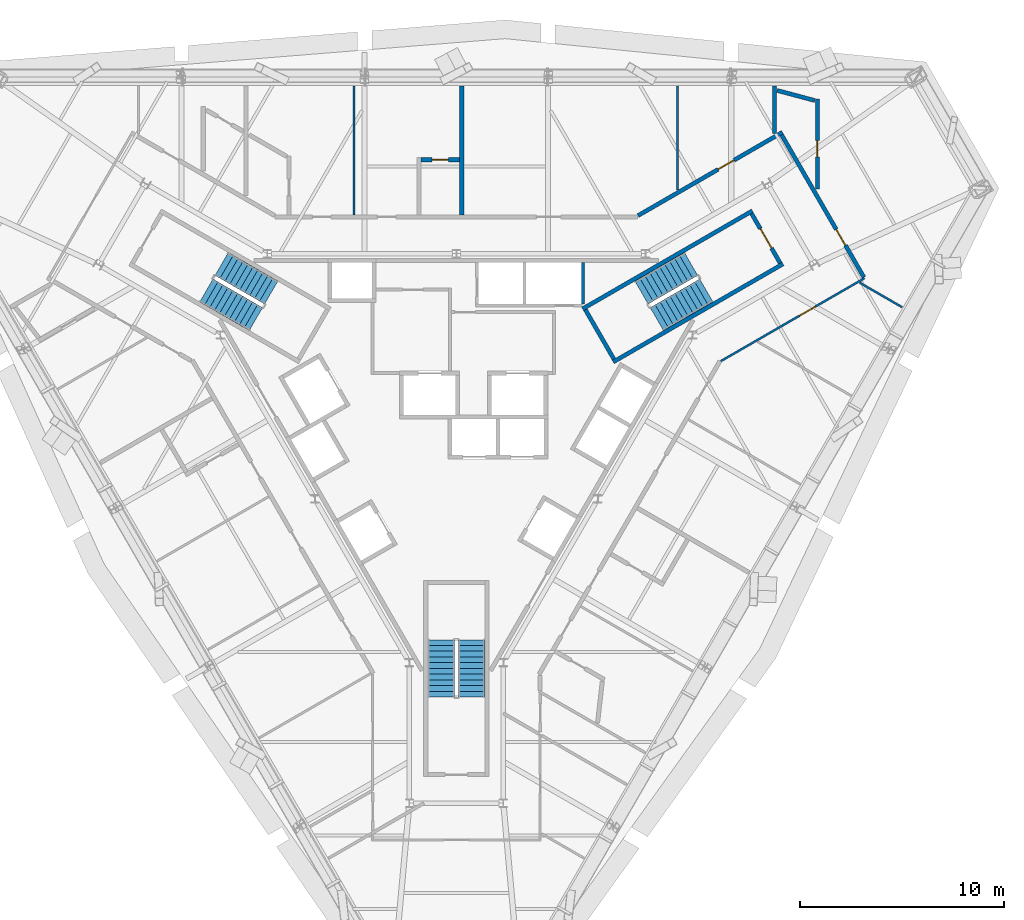
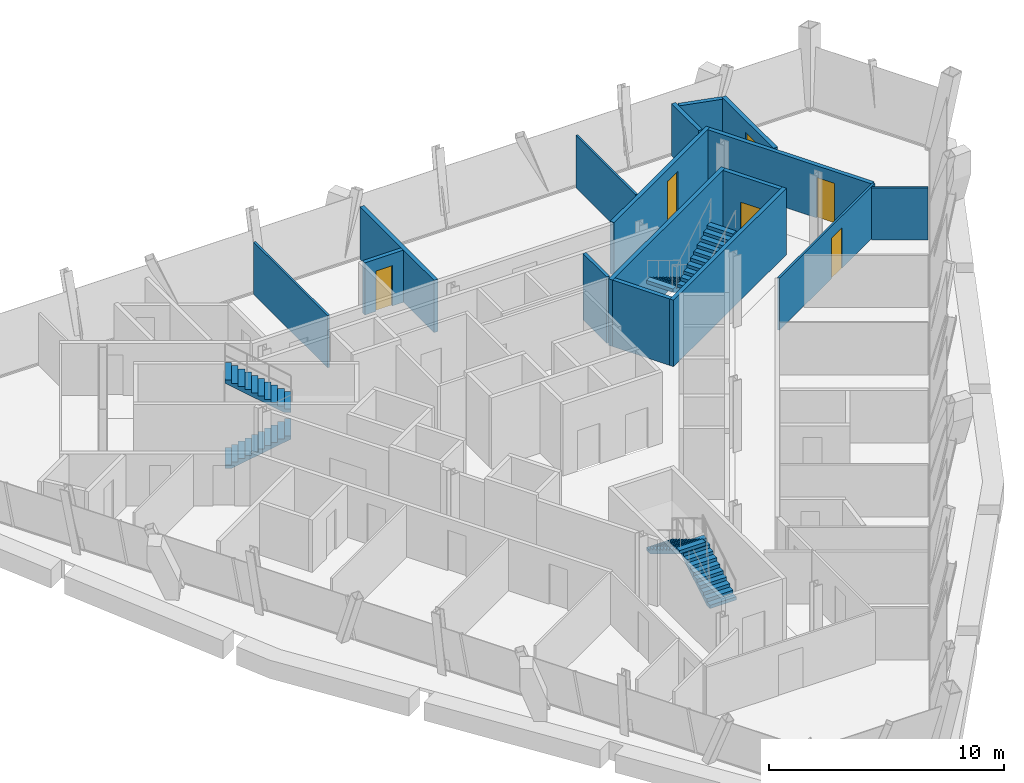
# One storey, part 11 of 13: 16 walls, 6 doors, 6 stair flights, 6 openings, 3 elements without a shape of their own.
"""IFC4 building model written with IfcOpenShell, lengths in metres."""

import ifcopenshell
import ifcopenshell.guid

model = None  # the IFC model being written
_history = None  # IfcOwnerHistory: only IFC2X3 demands one
_inside = {}  # id of a spatial element -> (the spatial element, [elements in it])
_under = {}  # id of a project, library or spatial element -> (it, [spatial elements below it])
_declared = {}  # id of a project -> (the project, [libraries it declares])
_typed = {}  # id of a type object -> (the type object, [elements of that type])
_made_of = {}  # id of a material, layer set ... -> (it, [elements and type objects made of it])


def new_model(schema):
    """Start an empty IFC model of exactly this schema.

    Asked for "IFC4X3", IfcOpenShell would pick the latest addendum, in which some entities
    have other attributes; the version numbers below select the first issue.
    IFC2X3 requires an IfcOwnerHistory on every rooted entity: one is made here for all.
    """
    global model, _history
    if schema == "IFC4X3":
        model = ifcopenshell.file(schema_version=(4, 3, 0, 0))
    else:
        model = ifcopenshell.file(schema=schema)
    _inside.clear()
    _under.clear()
    _declared.clear()
    _typed.clear()
    _made_of.clear()
    _history = None
    if model.schema == "IFC2X3":
        org = make("IfcOrganization", Name="unknown")
        user = make(
            "IfcPersonAndOrganization",
            ThePerson=make("IfcPerson", FamilyName="unknown"),
            TheOrganization=org,
        )
        app = make(
            "IfcApplication",
            ApplicationDeveloper=org,
            Version="unknown",
            ApplicationFullName="unknown",
            ApplicationIdentifier="unknown",
        )
        _history = make(
            "IfcOwnerHistory",
            OwningUser=user,
            OwningApplication=app,
            ChangeAction="ADDED",
            CreationDate=0,
        )
    return model


def make(cls, **values):
    """One entity of the class cls with the attributes given. An attribute that is None is left unset."""
    return model.create_entity(
        cls, **{name: value for name, value in values.items() if value is not None}
    )


def rooted(cls, **values):
    """An entity with a GlobalId (a new one), such as an element, a storey or a relation."""
    return make(cls, GlobalId=ifcopenshell.guid.new(), OwnerHistory=_history, **values)


def si_unit(unit_type, name, prefix=None):
    """IfcSIUnit, for example si_unit("LENGTHUNIT", "METRE", prefix="MILLI")."""
    return make("IfcSIUnit", UnitType=unit_type, Prefix=prefix, Name=name)


def assignment(units):
    """IfcUnitAssignment: the units of a project."""
    return None if units is None else make("IfcUnitAssignment", Units=units)


def point(xyz):
    """IfcCartesianPoint."""
    return None if xyz is None else make("IfcCartesianPoint", Coordinates=xyz)


def direction(xyz):
    """IfcDirection."""
    return None if xyz is None else make("IfcDirection", DirectionRatios=xyz)


def frame(location, z_axis=None, x_axis=None):
    """IfcAxis2Placement3D, a coordinate frame: its origin and axes. An axis left out is left unset."""
    return make(
        "IfcAxis2Placement3D",
        Location=point(location),
        Axis=direction(z_axis),
        RefDirection=direction(x_axis),
    )


def frame_2d(location, x_axis=None):
    """IfcAxis2Placement2D, a coordinate frame in the plane: its origin and x axis."""
    return make(
        "IfcAxis2Placement2D", Location=point(location), RefDirection=direction(x_axis)
    )


def origin():
    """The frame at (0, 0, 0) with its axes left unset."""
    return frame((0.0, 0.0, 0.0))


def place(relative_to, where):
    """IfcLocalPlacement: puts the frame where relative to a parent placement (None: the world)."""
    return make(
        "IfcLocalPlacement", PlacementRelTo=relative_to, RelativePlacement=where
    )


def context(
    kind, dimensions, precision=None, world=None, true_north=None, identifier=None
):
    """IfcGeometricRepresentationContext, for example the 3D "Model" context."""
    return make(
        "IfcGeometricRepresentationContext",
        ContextIdentifier=identifier,
        ContextType=kind,
        CoordinateSpaceDimension=dimensions,
        Precision=precision,
        WorldCoordinateSystem=world,
        TrueNorth=true_north,
    )


def subcontext(parent, identifier, kind, view, scale=None):
    """IfcGeometricRepresentationSubContext, for example "Body" below "Model"."""
    return make(
        "IfcGeometricRepresentationSubContext",
        ContextIdentifier=identifier,
        ContextType=kind,
        ParentContext=parent,
        TargetScale=scale,
        TargetView=view,
    )


def project(units=None, contexts=None):
    """IfcProject with its units and contexts."""
    return rooted(
        "IfcProject",
        Name="project",
        RepresentationContexts=contexts,
        UnitsInContext=assignment(units),
    )


def spatial(cls, under=None, at=None, **own):
    """A site, building, storey or space (cls), placed at a placement, below another one or the project."""
    s = rooted(cls, ObjectPlacement=at, **own)
    if under is not None:
        _under.setdefault(under.id(), (under, []))[1].append(s)
    return s


def polyline(points):
    """IfcPolyline through the points."""
    return make("IfcPolyline", Points=[point(p) for p in points])


def profile(cls, at=None, kind="AREA", **sizes):
    """A parametric profile (cls). Its sizes go by their IFC names, for example OverallWidth=200.0."""
    return make(cls, ProfileType=kind, Position=at, **sizes)


def rectangle(**sizes):
    """IfcRectangleProfileDef."""
    return profile("IfcRectangleProfileDef", **sizes)


def outline(outer, holes=None, kind="AREA"):
    """IfcArbitraryClosedProfileDef: a profile drawn as a closed curve; with holes, ...WithVoids."""
    if holes is None:
        return make("IfcArbitraryClosedProfileDef", ProfileType=kind, OuterCurve=outer)
    return make(
        "IfcArbitraryProfileDefWithVoids",
        ProfileType=kind,
        OuterCurve=outer,
        InnerCurves=holes,
    )


def extrude(swept, where, along, depth):
    """IfcExtrudedAreaSolid: the profile swept, set in the frame where, extruded along a direction by depth."""
    return make(
        "IfcExtrudedAreaSolid",
        SweptArea=swept,
        Position=where,
        ExtrudedDirection=direction(along),
        Depth=depth,
    )


def shape(context_of_items, identifier, shape_type, items):
    """IfcShapeRepresentation: the items that make up one representation, for example the "Body"."""
    return make(
        "IfcShapeRepresentation",
        ContextOfItems=context_of_items,
        RepresentationIdentifier=identifier,
        RepresentationType=shape_type,
        Items=items,
    )


def material(Name=None, Category=None):
    """IfcMaterial."""
    return make("IfcMaterial", Name=Name, Category=Category)


def layer(
    of_material, thickness, ventilated=None, Name=None, Category=None, Priority=None
):
    """IfcMaterialLayer: one layer of a wall or slab, of a material (None: an air gap)."""
    return make(
        "IfcMaterialLayer",
        Material=of_material,
        LayerThickness=thickness,
        IsVentilated=ventilated,
        Name=Name,
        Category=Category,
        Priority=Priority,
    )


def layer_set(layers, Name=None):
    """IfcMaterialLayerSet."""
    return make("IfcMaterialLayerSet", MaterialLayers=layers, LayerSetName=Name)


def made_of(thing, what):
    """Note that an element or type object is made of a material, layer set ...; save() writes the relation."""
    if what is not None:
        _made_of.setdefault(what.id(), (what, []))[1].append(thing)
    return thing


def type_object(cls, material=None, **own):
    """A type object (cls), such as IfcWallType, which elements share."""
    return made_of(rooted(cls, **own), material)


def element(
    cls,
    number,
    at=None,
    inside=None,
    cuts=None,
    type_object=None,
    material=None,
    context=None,
    identifier="Body",
    shape_type=None,
    held_by="IfcProductDefinitionShape",
    body=None,
    shapes=None,
    **own,
):
    """One element of the class cls, such as IfcWall. Its Tag is "e" and its number.

    at: its placement. inside: the storey or other place that contains it. cuts: it is an
    opening in that element (IfcRelVoidsElement). A single representation is given by context,
    identifier, shape_type and body (its items); several are given by shapes. held_by: the class
    of the entity that holds the representations. save() writes the other relations.
    """
    e = rooted(cls, Tag="e%d" % number, ObjectPlacement=at, **own)
    if body is not None:
        shapes = [shape(context, identifier, shape_type, body)]
    if shapes is not None:
        e.Representation = make(held_by, Representations=shapes)
    if inside is not None:
        _inside.setdefault(inside.id(), (inside, []))[1].append(e)
    if cuts is not None:
        rooted(
            "IfcRelVoidsElement", RelatingBuildingElement=cuts, RelatedOpeningElement=e
        )
    if type_object is not None:
        _typed.setdefault(type_object.id(), (type_object, []))[1].append(e)
    return made_of(e, material)


def fill(opening, filler):
    """IfcRelFillsElement: the door or window that sits in an opening."""
    return rooted(
        "IfcRelFillsElement",
        RelatingOpeningElement=opening,
        RelatedBuildingElement=filler,
    )


def aggregate(whole, parts):
    """IfcRelAggregates: a whole, such as a stair, and the parts it consists of."""
    return rooted("IfcRelAggregates", RelatingObject=whole, RelatedObjects=parts)


def save(model, path):
    """Write the relations noted so far, then the file.

    IfcRelAggregates (storeys below a building ...), IfcRelContainedInSpatialStructure (elements
    in a storey), IfcRelDefinesByType, IfcRelAssociatesMaterial and IfcRelDeclares: one each for
    every whole, place, type object, material and project.
    """
    for whole, parts in _under.values():
        aggregate(whole, parts)
    for where, things in _inside.values():
        rooted(
            "IfcRelContainedInSpatialStructure",
            RelatedElements=things,
            RelatingStructure=where,
        )
    for kind, things in _typed.values():
        rooted("IfcRelDefinesByType", RelatedObjects=things, RelatingType=kind)
    for what, things in _made_of.values():
        rooted("IfcRelAssociatesMaterial", RelatedObjects=things, RelatingMaterial=what)
    for by, libraries in _declared.values():
        rooted("IfcRelDeclares", RelatingContext=by, RelatedDefinitions=libraries)
    model.write(path)


model = new_model("IFC4")

# Units and contexts
model_context = context("Model", 3, precision=1e-05, world=origin(), true_north=direction((0.0, 1.0)))
body_context = subcontext(model_context, "Body", "Model", "MODEL_VIEW")
ifc_project = project(units=[si_unit("LENGTHUNIT", "METRE"), si_unit("AREAUNIT", "SQUARE_METRE"), si_unit("VOLUMEUNIT", "CUBIC_METRE"), si_unit("PLANEANGLEUNIT", "RADIAN"), si_unit("MASSUNIT", "GRAM", prefix="KILO")], contexts=[model_context])

# Site, building, storey
site_placement = place(None, origin())
site = spatial("IfcSite", under=ifc_project, at=site_placement, CompositionType="ELEMENT")
building_placement = place(site_placement, origin())
building = spatial("IfcBuilding", under=site, at=building_placement, Name="Verrane Prism Tower", CompositionType="ELEMENT")
storey_placement = place(building_placement, frame((0.0, 0.0, 243.39990234375)))
storey = spatial("IfcBuildingStorey", under=building, at=storey_placement, Name="L61", CompositionType="ELEMENT", Elevation=243.39990234375)

# Wall, opening, door
ifc_material_1 = material(Name="Concrete C40/50", Category="concrete")
ifc_layer_1 = layer(ifc_material_1, 0.199951171875)
ifc_layer_set_1 = layer_set([ifc_layer_1], Name="CW-200 stair core wall concrete C40/50 3 h")
wall_type_1 = type_object("IfcWallType", Name="CW-200 stair core wall concrete C40/50 3 h", PredefinedType="PARTITIONING", material=ifc_layer_set_1)
wall_1_placement = place(storey_placement, frame((15.85546875, 7.53759765625, 0.0), z_axis=(0.0, 0.0, 1.0), x_axis=(-0.500049511043, 0.865996816683, 0.0)))
wall_1 = element("IfcWall", 1, at=wall_1_placement, inside=storey, type_object=wall_type_1, Name="Stair 1 enclosure wall", PredefinedType="PARTITIONING", context=body_context, shape_type="SweptSolid", body=[
    extrude(rectangle(XDim=2.800048828125, YDim=0.199951171875, at=frame_2d((1.39990234375, 0.0))), origin(), (0.0, 0.0, 1.0), 3.4501953125),
])
opening_1_placement = place(wall_1_placement, frame((0.849853515625, 0.0, 0.0)))
opening_1 = element("IfcOpeningElement", 2, at=opening_1_placement, cuts=wall_1, Name="Opening D59500", PredefinedType="OPENING", context=body_context, shape_type="SweptSolid", body=[
    extrude(rectangle(XDim=1.10009765625, YDim=2.10009765625, at=frame_2d((0.550048828125, 1.050048828125))), frame((0.0, 0.10986328125, 0.0), z_axis=(0.0, -1.0, 0.0), x_axis=(1.0, 0.0, 0.0)), (0.0, 0.0, 1.0), 0.219970703125),
])
ifc_material_2 = material(Name="Timber veneered door leaf", Category="wood")
door_type_1 = type_object("IfcDoorType", Name="DR-1100x2100 FD90 single leaf stair", OperationType="NOTDEFINED", PredefinedType="DOOR", material=ifc_material_2)
door_1_placement = place(opening_1_placement, origin())
door_1 = element("IfcDoor", 3, at=door_1_placement, inside=storey, type_object=door_type_1, Name="Stair 1 door", OperationType="SINGLE_SWING_LEFT", OverallHeight=2.10009765625, OverallWidth=1.10009765625, PredefinedType="DOOR", context=body_context, shape_type="SweptSolid", body=[
    extrude(rectangle(XDim=1.10009765625, YDim=2.10009765625, at=frame_2d((0.550048828125, 1.050048828125))), frame((0.0, 0.02490234375, 0.0), z_axis=(0.0, -1.0, 0.0), x_axis=(1.0, 0.0, 0.0)), (0.0, 0.0, 1.0), 0.050048828125),
])
fill(opening_1, door_1)

# Walls
for number, where, z_axis, x_axis, name in (
    (4, (6.17822265625, 5.299072265625, 0.0), (0.0, 0.0, 1.0), (0.866019993635, 0.500009370536, 0.0), "Stair 1 enclosure wall"),
    (5, (7.67822265625, 2.700927734375, 0.0), (0.0, 0.0, 1.0), (0.866019993635, 0.500009370536, 0.0), "Stair 1 enclosure wall"),
):
    element("IfcWall", number, at=place(storey_placement, frame(where, z_axis=z_axis, x_axis=x_axis)), inside=storey, type_object=wall_type_1, Name=name, PredefinedType="PARTITIONING", context=body_context, shape_type="SweptSolid", body=[
        extrude(rectangle(XDim=9.599853515625, YDim=0.199951171875, at=frame_2d((4.7998046875, 0.0))), origin(), (0.0, 0.0, 1.0), 3.4501953125),
    ])
wall_2_placement = place(storey_placement, frame((7.71484375, 2.837646484375, 0.0), z_axis=(0.0, 0.0, 1.0), x_axis=(-0.500049511043, 0.865996816683, 0.0)))
element("IfcWall", 6, at=wall_2_placement, inside=storey, type_object=wall_type_1, Name="Stair 1 enclosure wall", PredefinedType="PARTITIONING", context=body_context, shape_type="SweptSolid", body=[
    extrude(rectangle(XDim=2.800048828125, YDim=0.199951171875, at=frame_2d((1.39990234375, 0.0))), origin(), (0.0, 0.0, 1.0), 3.4501953125),
])
ifc_material_3 = material(Name="Gypsum board partition", Category="other")
ifc_layer_2 = layer(ifc_material_3, 0.10009765625)
ifc_layer_set_2 = layer_set([ifc_layer_2], Name="PW-100 room partition")
wall_type_2 = type_object("IfcWallType", Name="PW-100 room partition", PredefinedType="PARTITIONING", material=ifc_layer_set_2)
wall_3_placement = place(storey_placement, frame((-5.014892578125, 9.89990234375, 0.0), z_axis=(0.0, 0.0, 1.0), x_axis=(0.0, 1.0, 0.0)))
element("IfcWall", 7, at=wall_3_placement, inside=storey, type_object=wall_type_2, Name="Room partition 024", PredefinedType="PARTITIONING", context=body_context, shape_type="SweptSolid", body=[
    extrude(rectangle(XDim=6.30615234375, YDim=0.10009765625, at=frame_2d((3.153076171875, 0.0))), origin(), (0.0, 0.0, 1.0), 2.713134765625),
])
wall_4_placement = place(storey_placement, frame((10.822021484375, 11.124267578125, 0.0), z_axis=(0.0, 0.0, 1.0), x_axis=(0.0, 1.0, 0.0)))
element("IfcWall", 8, at=wall_4_placement, inside=storey, type_object=wall_type_2, Name="Room partition 048", PredefinedType="PARTITIONING", context=body_context, shape_type="SweptSolid", body=[
    extrude(rectangle(XDim=5.081787109375, YDim=0.10009765625, at=frame_2d((2.541015625, 0.0))), origin(), (0.0, 0.0, 1.0), 2.713134765625),
])

# Wall, opening, door
wall_5_placement = place(storey_placement, frame((19.97998046875, 6.801025390625, 0.0), z_axis=(0.0, 0.0, 1.0), x_axis=(-0.866087400697, -0.49989260282, 0.0)))
wall_5 = element("IfcWall", 9, at=wall_5_placement, inside=storey, type_object=wall_type_2, Name="Room partition 050", PredefinedType="PARTITIONING", context=body_context, shape_type="SweptSolid", body=[
    extrude(rectangle(XDim=8.114990234375, YDim=0.10009765625, at=frame_2d((4.0576171875, 0.0))), origin(), (0.0, 0.0, 1.0), 2.713134765625),
])
opening_2_placement = place(wall_5_placement, frame((2.777099609375, 0.0, 0.0)))
opening_2 = element("IfcOpeningElement", 10, at=opening_2_placement, cuts=wall_5, Name="Opening D59028", PredefinedType="OPENING", context=body_context, shape_type="SweptSolid", body=[
    extrude(rectangle(XDim=0.89990234375, YDim=2.10009765625, at=frame_2d((0.449951171875, 1.050048828125))), frame((0.0, 0.06005859375, 0.0), z_axis=(0.0, -1.0, 0.0), x_axis=(1.0, 0.0, 0.0)), (0.0, 0.0, 1.0), 0.1201171875),
])
ifc_material_4 = material(Name="Timber veneered door leaf", Category="wood")
door_type_2 = type_object("IfcDoorType", Name="DR-900x2100 single leaf unit", OperationType="NOTDEFINED", PredefinedType="DOOR", material=ifc_material_4)
door_2_placement = place(opening_2_placement, origin())
door_2 = element("IfcDoor", 11, at=door_2_placement, inside=storey, type_object=door_type_2, Name="Study door", OperationType="SINGLE_SWING_LEFT", OverallHeight=2.10009765625, OverallWidth=0.89990234375, PredefinedType="DOOR", context=body_context, shape_type="SweptSolid", body=[
    extrude(rectangle(XDim=0.89990234375, YDim=2.10009765625, at=frame_2d((0.449951171875, 1.050048828125))), frame((0.0, 0.02490234375, 0.0), z_axis=(0.0, -1.0, 0.0), x_axis=(1.0, 0.0, 0.0)), (0.0, 0.0, 1.0), 0.050048828125),
])
fill(opening_2, door_2)

# Wall
wall_6_placement = place(storey_placement, frame((19.7470703125, 6.580810546875, 0.0), z_axis=(0.0, 0.0, 1.0), x_axis=(0.866139751882, -0.499801890962, 0.0)))
element("IfcWall", 12, at=wall_6_placement, inside=storey, type_object=wall_type_2, Name="Room partition 056", PredefinedType="PARTITIONING", context=body_context, shape_type="SweptSolid", body=[
    extrude(rectangle(XDim=2.39453125, YDim=0.10009765625, at=frame_2d((1.197265625, 0.0))), origin(), (0.0, 0.0, 1.0), 2.713134765625),
])

# Wall, opening, door
ifc_material_5 = material(Name="Gypsum board partition", Category="other")
ifc_layer_3 = layer(ifc_material_5, 0.199951171875)
ifc_layer_set_3 = layer_set([ifc_layer_3], Name="PW-200 plumbing wall")
wall_type_3 = type_object("IfcWallType", Name="PW-200 plumbing wall", PredefinedType="PARTITIONING", material=ifc_layer_set_3)
wall_7_placement = place(storey_placement, frame((0.1640625, 12.60009765625, 0.0), z_axis=(0.0, 0.0, 1.0), x_axis=(-1.0, 0.0, 0.0)))
wall_7 = element("IfcWall", 13, at=wall_7_placement, inside=storey, type_object=wall_type_3, Name="Plumbing wall 031", PredefinedType="PARTITIONING", context=body_context, shape_type="SweptSolid", body=[
    extrude(rectangle(XDim=1.900146484375, YDim=0.199951171875, at=frame_2d((0.9501953125, 0.0))), origin(), (0.0, 0.0, 1.0), 2.713134765625),
])
opening_3_placement = place(wall_7_placement, frame((0.550048828125, 0.0, 0.0)))
opening_3 = element("IfcOpeningElement", 14, at=opening_3_placement, cuts=wall_7, Name="Opening D59006", PredefinedType="OPENING", context=body_context, shape_type="SweptSolid", body=[
    extrude(rectangle(XDim=0.800048828125, YDim=2.10009765625, at=frame_2d((0.39990234375, 1.050048828125))), frame((0.0, 0.10986328125, 0.0), z_axis=(0.0, -1.0, 0.0), x_axis=(1.0, 0.0, 0.0)), (0.0, 0.0, 1.0), 0.219970703125),
])
ifc_material_6 = material(Name="Timber veneered door leaf", Category="wood")
door_type_3 = type_object("IfcDoorType", Name="DR-800x2100 single leaf bath", OperationType="NOTDEFINED", PredefinedType="DOOR", material=ifc_material_6)
door_3_placement = place(opening_3_placement, origin())
door_3 = element("IfcDoor", 15, at=door_3_placement, inside=storey, type_object=door_type_3, Name="Bathroom door", OperationType="SINGLE_SWING_LEFT", OverallHeight=2.10009765625, OverallWidth=0.800048828125, PredefinedType="DOOR", context=body_context, shape_type="SweptSolid", body=[
    extrude(rectangle(XDim=0.800048828125, YDim=2.10009765625, at=frame_2d((0.39990234375, 1.050048828125))), frame((0.0, 0.02490234375, 0.0), z_axis=(0.0, -1.0, 0.0), x_axis=(1.0, 0.0, 0.0)), (0.0, 0.0, 1.0), 0.050048828125),
])
fill(opening_3, door_3)

# Wall
wall_8_placement = place(storey_placement, frame((0.263916015625, 9.89990234375, 0.0), z_axis=(0.0, 0.0, 1.0), x_axis=(0.0, 1.0, 0.0)))
element("IfcWall", 16, at=wall_8_placement, inside=storey, type_object=wall_type_3, Name="Plumbing wall 032", PredefinedType="PARTITIONING", context=body_context, shape_type="SweptSolid", body=[
    extrude(rectangle(XDim=6.30615234375, YDim=0.199951171875, at=frame_2d((3.153076171875, 0.0))), origin(), (0.0, 0.0, 1.0), 2.713134765625),
])

# Wall, opening, door
wall_9_placement = place(storey_placement, frame((8.89501953125, 9.867431640625, 0.0), z_axis=(0.0, 0.0, 1.0), x_axis=(0.866081499088, 0.499902827495, 0.0)))
wall_9 = element("IfcWall", 17, at=wall_9_placement, inside=storey, type_object=wall_type_3, Name="Plumbing wall 046", PredefinedType="PARTITIONING", context=body_context, shape_type="SweptSolid", body=[
    extrude(rectangle(XDim=8.16259765625, YDim=0.199951171875, at=frame_2d((4.081298828125, 0.0))), origin(), (0.0, 0.0, 1.0), 2.713134765625),
])
opening_4_placement = place(wall_9_placement, frame((4.52490234375, 0.0, 0.0)))
opening_4 = element("IfcOpeningElement", 18, at=opening_4_placement, cuts=wall_9, Name="Opening D59003", PredefinedType="OPENING", context=body_context, shape_type="SweptSolid", body=[
    extrude(rectangle(XDim=0.89990234375, YDim=2.10009765625, at=frame_2d((0.449951171875, 1.050048828125))), frame((0.0, 0.10986328125, 0.0), z_axis=(0.0, -1.0, 0.0), x_axis=(1.0, 0.0, 0.0)), (0.0, 0.0, 1.0), 0.219970703125),
])
door_4_placement = place(opening_4_placement, origin())
door_4 = element("IfcDoor", 19, at=door_4_placement, inside=storey, type_object=door_type_2, Name="Kitchen door", OperationType="SINGLE_SWING_LEFT", OverallHeight=2.10009765625, OverallWidth=0.89990234375, PredefinedType="DOOR", context=body_context, shape_type="SweptSolid", body=[
    extrude(rectangle(XDim=0.89990234375, YDim=2.10009765625, at=frame_2d((0.449951171875, 1.050048828125))), frame((0.0, 0.02490234375, 0.0), z_axis=(0.0, -1.0, 0.0), x_axis=(1.0, 0.0, 0.0)), (0.0, 0.0, 1.0), 0.050048828125),
])
fill(opening_4, door_4)

# Walls
wall_10_placement = place(storey_placement, frame((15.572998046875, 13.895263671875, 0.0), z_axis=(0.0, 0.0, 1.0), x_axis=(0.0, 1.0, 0.0)))
element("IfcWall", 20, at=wall_10_placement, inside=storey, type_object=wall_type_3, Name="Plumbing wall 052", PredefinedType="PARTITIONING", context=body_context, shape_type="SweptSolid", body=[
    extrude(rectangle(XDim=2.310791015625, YDim=0.199951171875, at=frame_2d((1.1552734375, 0.0))), origin(), (0.0, 0.0, 1.0), 2.713134765625),
])
wall_11_placement = place(storey_placement, frame((15.69873046875, 15.996337890625, 0.0), z_axis=(0.0, 0.0, 1.0), x_axis=(0.96599800534, -0.258549518816, 0.0)))
element("IfcWall", 21, at=wall_11_placement, inside=storey, type_object=wall_type_3, Name="Plumbing wall 053", PredefinedType="PARTITIONING", context=body_context, shape_type="SweptSolid", body=[
    extrude(rectangle(XDim=1.918701171875, YDim=0.199951171875, at=frame_2d((0.95947265625, 0.0))), origin(), (0.0, 0.0, 1.0), 2.713134765625),
])

# Wall, opening, door
wall_12_placement = place(storey_placement, frame((15.927978515625, 13.8115234375, 0.0), z_axis=(0.0, 0.0, 1.0), x_axis=(0.500422653123, -0.865781247337, 0.0)))
wall_12 = element("IfcWall", 22, at=wall_12_placement, inside=storey, type_object=wall_type_3, Name="Plumbing wall 054", PredefinedType="PARTITIONING", context=body_context, shape_type="SweptSolid", body=[
    extrude(rectangle(XDim=8.04736328125, YDim=0.199951171875, at=frame_2d((4.023681640625, 0.0))), origin(), (0.0, 0.0, 1.0), 2.713134765625),
])
opening_5_placement = place(wall_12_placement, frame((5.3369140625, 0.0, 0.0)))
opening_5 = element("IfcOpeningElement", 23, at=opening_5_placement, cuts=wall_12, Name="Opening D59001", PredefinedType="OPENING", context=body_context, shape_type="SweptSolid", body=[
    extrude(rectangle(XDim=0.89990234375, YDim=2.10009765625, at=frame_2d((0.449951171875, 1.050048828125))), frame((0.0, 0.10986328125, 0.0), z_axis=(0.0, -1.0, 0.0), x_axis=(1.0, 0.0, 0.0)), (0.0, 0.0, 1.0), 0.219970703125),
])
ifc_material_7 = material(Name="Timber veneered door leaf", Category="wood")
door_type_4 = type_object("IfcDoorType", Name="DR-900x2100 single leaf inner", OperationType="NOTDEFINED", PredefinedType="DOOR", material=ifc_material_7)
door_5_placement = place(opening_5_placement, origin())
door_5 = element("IfcDoor", 24, at=door_5_placement, inside=storey, type_object=door_type_4, Name="Bedroom door", OperationType="SINGLE_SWING_LEFT", OverallHeight=2.10009765625, OverallWidth=0.89990234375, PredefinedType="DOOR", context=body_context, shape_type="SweptSolid", body=[
    extrude(rectangle(XDim=0.89990234375, YDim=2.10009765625, at=frame_2d((0.449951171875, 1.050048828125))), frame((0.0, 0.02490234375, 0.0), z_axis=(0.0, -1.0, 0.0), x_axis=(1.0, 0.0, 0.0)), (0.0, 0.0, 1.0), 0.050048828125),
])
fill(opening_5, door_5)

wall_13_placement = place(storey_placement, frame((17.673095703125, 11.165771484375, 0.0), z_axis=(0.0, 0.0, 1.0), x_axis=(0.0, 1.0, 0.0)))
wall_13 = element("IfcWall", 25, at=wall_13_placement, inside=storey, type_object=wall_type_3, Name="Plumbing wall 055", PredefinedType="PARTITIONING", context=body_context, shape_type="SweptSolid", body=[
    extrude(rectangle(XDim=4.40234375, YDim=0.199951171875, at=frame_2d((2.201171875, 0.0))), origin(), (0.0, 0.0, 1.0), 2.713134765625),
])
opening_6_placement = place(wall_13_placement, frame((1.5771484375, 0.0, 0.0)))
opening_6 = element("IfcOpeningElement", 26, at=opening_6_placement, cuts=wall_13, Name="Opening D59002", PredefinedType="OPENING", context=body_context, shape_type="SweptSolid", body=[
    extrude(rectangle(XDim=0.800048828125, YDim=2.10009765625, at=frame_2d((0.39990234375, 1.050048828125))), frame((0.0, 0.10986328125, 0.0), z_axis=(0.0, -1.0, 0.0), x_axis=(1.0, 0.0, 0.0)), (0.0, 0.0, 1.0), 0.219970703125),
])
door_6_placement = place(opening_6_placement, origin())
door_6 = element("IfcDoor", 27, at=door_6_placement, inside=storey, type_object=door_type_3, Name="Bathroom door", OperationType="SINGLE_SWING_RIGHT", OverallHeight=2.10009765625, OverallWidth=0.800048828125, PredefinedType="DOOR", context=body_context, shape_type="SweptSolid", body=[
    extrude(rectangle(XDim=0.800048828125, YDim=2.10009765625, at=frame_2d((0.39990234375, 1.050048828125))), frame((0.0, 0.02490234375, 0.0), z_axis=(0.0, -1.0, 0.0), x_axis=(1.0, 0.0, 0.0)), (0.0, 0.0, 1.0), 0.050048828125),
])
fill(opening_6, door_6)

# Wall
ifc_material_8 = material(Name="Gypsum board partition", Category="other")
ifc_layer_4 = layer(ifc_material_8, 0.14990234375)
ifc_layer_set_4 = layer_set([ifc_layer_4], Name="RS-150 riser enclosure wall 1 h")
wall_type_4 = type_object("IfcWallType", Name="RS-150 riser enclosure wall 1 h", PredefinedType="PARTITIONING", material=ifc_layer_set_4)
wall_14_placement = place(storey_placement, frame((6.199951171875, 5.534912109375, 0.0), z_axis=(0.0, 0.0, 1.0), x_axis=(0.0, 1.0, 0.0)))
element("IfcWall", 28, at=wall_14_placement, inside=storey, type_object=wall_type_4, Name="Riser wall RS3-004", PredefinedType="PARTITIONING", context=body_context, shape_type="SweptSolid", body=[
    extrude(rectangle(XDim=2.025146484375, YDim=0.14990234375, at=frame_2d((1.0126953125, 0.0))), origin(), (0.0, 0.0, 1.0), 3.4501953125),
])

# Stair, stair flights
ifc_material_9 = material(Name="Concrete C40/50", Category="concrete")
stair_type = type_object("IfcStairType", Name="Exit stair 1300 dog-leg precast concrete C40/50", PredefinedType="HALF_TURN_STAIR", material=ifc_material_9)
stair_1_placement = place(storey_placement, origin())
stair_1 = element("IfcStair", 29, at=stair_1_placement, inside=storey, type_object=stair_type, Name="Stair 1 L61", PredefinedType="HALF_TURN_STAIR")
ifc_material_10 = material(Name="Concrete C40/50", Category="concrete")
stair_flight_type = type_object("IfcStairFlightType", Name="Stair flight 1300 precast concrete C40/50", PredefinedType="STRAIGHT", material=ifc_material_10)
stair_flight_1_placement = place(storey_placement, frame((11.489501953125, 7.49951171875, 0.0), z_axis=(0.0, 0.0, 1.0), x_axis=(-0.866025403784, -0.5, 0.0)))
stair_flight_1 = element("IfcStairFlight", 30, at=stair_flight_1_placement, type_object=stair_flight_type, Name="Stair 1 flight 1", NumberOfRisers=11, NumberOfTreads=10, PredefinedType="STRAIGHT", RiserHeight=0.168181818, TreadLength=0.28, context=body_context, shape_type="SweptSolid", body=[
    extrude(outline(polyline([(0.0, 0.0), (0.0, 0.168212890625), (0.280029296875, 0.168212890625), (0.280029296875, 0.33642578125), (0.56005859375, 0.33642578125), (0.56005859375, 0.504638671875), (0.840087890625, 0.504638671875), (0.840087890625, 0.672607421875), (1.1201171875, 0.672607421875), (1.1201171875, 0.8408203125), (1.39990234375, 0.8408203125), (1.39990234375, 1.009033203125), (1.679931640625, 1.009033203125), (1.679931640625, 1.17724609375), (1.9599609375, 1.17724609375), (1.9599609375, 1.345458984375), (2.239990234375, 1.345458984375), (2.239990234375, 1.513671875), (2.52001953125, 1.513671875), (2.52001953125, 1.681884765625), (2.800048828125, 1.681884765625), (2.800048828125, 1.85009765625), (2.800048828125, 1.5068359375), (0.291015625, 0.0), (0.0, 0.0)])), frame((0.0, 0.64990234375, 0.0), z_axis=(0.0, -1.0, 0.0), x_axis=(1.0, 0.0, 0.0)), (0.0, 0.0, 1.0), 1.300048828125),
])
stair_flight_2_placement = place(storey_placement, frame((9.814697265625, 4.800537109375, 1.85009765625), z_axis=(0.0, 0.0, 1.0), x_axis=(0.866025403784, 0.5, 0.0)))
stair_flight_2 = element("IfcStairFlight", 31, at=stair_flight_2_placement, type_object=stair_flight_type, Name="Stair 1 flight 2", NumberOfRisers=11, NumberOfTreads=10, PredefinedType="STRAIGHT", RiserHeight=0.168181818, TreadLength=0.28, context=body_context, shape_type="SweptSolid", body=[
    extrude(outline(polyline([(0.0, 0.0), (0.0, 0.168212890625), (0.280029296875, 0.168212890625), (0.280029296875, 0.33642578125), (0.56005859375, 0.33642578125), (0.56005859375, 0.504638671875), (0.840087890625, 0.504638671875), (0.840087890625, 0.672607421875), (1.1201171875, 0.672607421875), (1.1201171875, 0.8408203125), (1.39990234375, 0.8408203125), (1.39990234375, 1.009033203125), (1.679931640625, 1.009033203125), (1.679931640625, 1.17724609375), (1.9599609375, 1.17724609375), (1.9599609375, 1.345458984375), (2.239990234375, 1.345458984375), (2.239990234375, 1.513671875), (2.52001953125, 1.513671875), (2.52001953125, 1.681884765625), (2.800048828125, 1.681884765625), (2.800048828125, 1.85009765625), (2.800048828125, 1.5068359375), (0.291015625, 0.0), (0.0, 0.0)])), frame((0.0, 0.64990234375, 0.0), z_axis=(0.0, -1.0, 0.0), x_axis=(1.0, 0.0, 0.0)), (0.0, 0.0, 1.0), 1.300048828125),
])
aggregate(stair_1, [stair_flight_1, stair_flight_2])

stair_2_placement = place(storey_placement, origin())
stair_2 = element("IfcStair", 32, at=stair_2_placement, inside=storey, type_object=stair_type, Name="Stair 2 L61", PredefinedType="HALF_TURN_STAIR")
stair_flight_3_placement = place(storey_placement, frame((-12.239501953125, 6.200439453125, 0.0), z_axis=(0.0, 0.0, 1.0), x_axis=(0.866025403784, -0.5, 0.0)))
stair_flight_3 = element("IfcStairFlight", 33, at=stair_flight_3_placement, type_object=stair_flight_type, Name="Stair 2 flight 1", NumberOfRisers=11, NumberOfTreads=10, PredefinedType="STRAIGHT", RiserHeight=0.168181818, TreadLength=0.28, context=body_context, shape_type="SweptSolid", body=[
    extrude(outline(polyline([(0.0, 0.0), (0.0, 0.168212890625), (0.280029296875, 0.168212890625), (0.280029296875, 0.33642578125), (0.56005859375, 0.33642578125), (0.56005859375, 0.504638671875), (0.840087890625, 0.504638671875), (0.840087890625, 0.672607421875), (1.1201171875, 0.672607421875), (1.1201171875, 0.8408203125), (1.39990234375, 0.8408203125), (1.39990234375, 1.009033203125), (1.679931640625, 1.009033203125), (1.679931640625, 1.17724609375), (1.9599609375, 1.17724609375), (1.9599609375, 1.345458984375), (2.239990234375, 1.345458984375), (2.239990234375, 1.513671875), (2.52001953125, 1.513671875), (2.52001953125, 1.681884765625), (2.800048828125, 1.681884765625), (2.800048828125, 1.85009765625), (2.800048828125, 1.5068359375), (0.291015625, 0.0), (0.0, 0.0)])), frame((0.0, 0.64990234375, 0.0), z_axis=(0.0, -1.0, 0.0), x_axis=(1.0, 0.0, 0.0)), (0.0, 0.0, 1.0), 1.300048828125),
])
stair_flight_4_placement = place(storey_placement, frame((-9.064697265625, 6.099609375, 1.85009765625), z_axis=(0.0, 0.0, 1.0), x_axis=(-0.866025403784, 0.5, 0.0)))
stair_flight_4 = element("IfcStairFlight", 34, at=stair_flight_4_placement, type_object=stair_flight_type, Name="Stair 2 flight 2", NumberOfRisers=11, NumberOfTreads=10, PredefinedType="STRAIGHT", RiserHeight=0.168181818, TreadLength=0.28, context=body_context, shape_type="SweptSolid", body=[
    extrude(outline(polyline([(0.0, 0.0), (0.0, 0.168212890625), (0.280029296875, 0.168212890625), (0.280029296875, 0.33642578125), (0.56005859375, 0.33642578125), (0.56005859375, 0.504638671875), (0.840087890625, 0.504638671875), (0.840087890625, 0.672607421875), (1.1201171875, 0.672607421875), (1.1201171875, 0.8408203125), (1.39990234375, 0.8408203125), (1.39990234375, 1.009033203125), (1.679931640625, 1.009033203125), (1.679931640625, 1.17724609375), (1.9599609375, 1.17724609375), (1.9599609375, 1.345458984375), (2.239990234375, 1.345458984375), (2.239990234375, 1.513671875), (2.52001953125, 1.513671875), (2.52001953125, 1.681884765625), (2.800048828125, 1.681884765625), (2.800048828125, 1.85009765625), (2.800048828125, 1.5068359375), (0.291015625, 0.0), (0.0, 0.0)])), frame((0.0, 0.64990234375, 0.0), z_axis=(0.0, -1.0, 0.0), x_axis=(1.0, 0.0, 0.0)), (0.0, 0.0, 1.0), 1.300048828125),
])
aggregate(stair_2, [stair_flight_3, stair_flight_4])

stair_3_placement = place(storey_placement, origin())
stair_3 = element("IfcStair", 35, at=stair_3_placement, inside=storey, type_object=stair_type, Name="Stair 3 L61", PredefinedType="HALF_TURN_STAIR")
stair_flight_5_placement = place(storey_placement, frame((0.75, -13.699951171875, 0.0), z_axis=(0.0, 0.0, 1.0), x_axis=(0.0, 1.0, 0.0)))
stair_flight_5 = element("IfcStairFlight", 36, at=stair_flight_5_placement, type_object=stair_flight_type, Name="Stair 3 flight 1", NumberOfRisers=11, NumberOfTreads=10, PredefinedType="STRAIGHT", RiserHeight=0.168181818, TreadLength=0.28, context=body_context, shape_type="SweptSolid", body=[
    extrude(outline(polyline([(0.0, 0.0), (0.0, 0.168212890625), (0.280029296875, 0.168212890625), (0.280029296875, 0.33642578125), (0.56005859375, 0.33642578125), (0.56005859375, 0.504638671875), (0.840087890625, 0.504638671875), (0.840087890625, 0.672607421875), (1.1201171875, 0.672607421875), (1.1201171875, 0.8408203125), (1.39990234375, 0.8408203125), (1.39990234375, 1.009033203125), (1.679931640625, 1.009033203125), (1.679931640625, 1.17724609375), (1.9599609375, 1.17724609375), (1.9599609375, 1.345458984375), (2.239990234375, 1.345458984375), (2.239990234375, 1.513671875), (2.52001953125, 1.513671875), (2.52001953125, 1.681884765625), (2.800048828125, 1.681884765625), (2.800048828125, 1.85009765625), (2.800048828125, 1.5068359375), (0.291015625, 0.0), (0.0, 0.0)])), frame((0.0, 0.64990234375, 0.0), z_axis=(0.0, -1.0, 0.0), x_axis=(1.0, 0.0, 0.0)), (0.0, 0.0, 1.0), 1.300048828125),
])
stair_flight_6_placement = place(storey_placement, frame((-0.75, -10.89990234375, 1.85009765625), z_axis=(0.0, 0.0, 1.0), x_axis=(0.0, -1.0, 0.0)))
stair_flight_6 = element("IfcStairFlight", 37, at=stair_flight_6_placement, type_object=stair_flight_type, Name="Stair 3 flight 2", NumberOfRisers=11, NumberOfTreads=10, PredefinedType="STRAIGHT", RiserHeight=0.168181818, TreadLength=0.28, context=body_context, shape_type="SweptSolid", body=[
    extrude(outline(polyline([(0.0, 0.0), (0.0, 0.168212890625), (0.280029296875, 0.168212890625), (0.280029296875, 0.33642578125), (0.56005859375, 0.33642578125), (0.56005859375, 0.504638671875), (0.840087890625, 0.504638671875), (0.840087890625, 0.672607421875), (1.1201171875, 0.672607421875), (1.1201171875, 0.8408203125), (1.39990234375, 0.8408203125), (1.39990234375, 1.009033203125), (1.679931640625, 1.009033203125), (1.679931640625, 1.17724609375), (1.9599609375, 1.17724609375), (1.9599609375, 1.345458984375), (2.239990234375, 1.345458984375), (2.239990234375, 1.513671875), (2.52001953125, 1.513671875), (2.52001953125, 1.681884765625), (2.800048828125, 1.681884765625), (2.800048828125, 1.85009765625), (2.800048828125, 1.5068359375), (0.291015625, 0.0), (0.0, 0.0)])), frame((0.0, 0.64990234375, 0.0), z_axis=(0.0, -1.0, 0.0), x_axis=(1.0, 0.0, 0.0)), (0.0, 0.0, 1.0), 1.300048828125),
])
aggregate(stair_3, [stair_flight_5, stair_flight_6])

save(model, "model.ifc")
